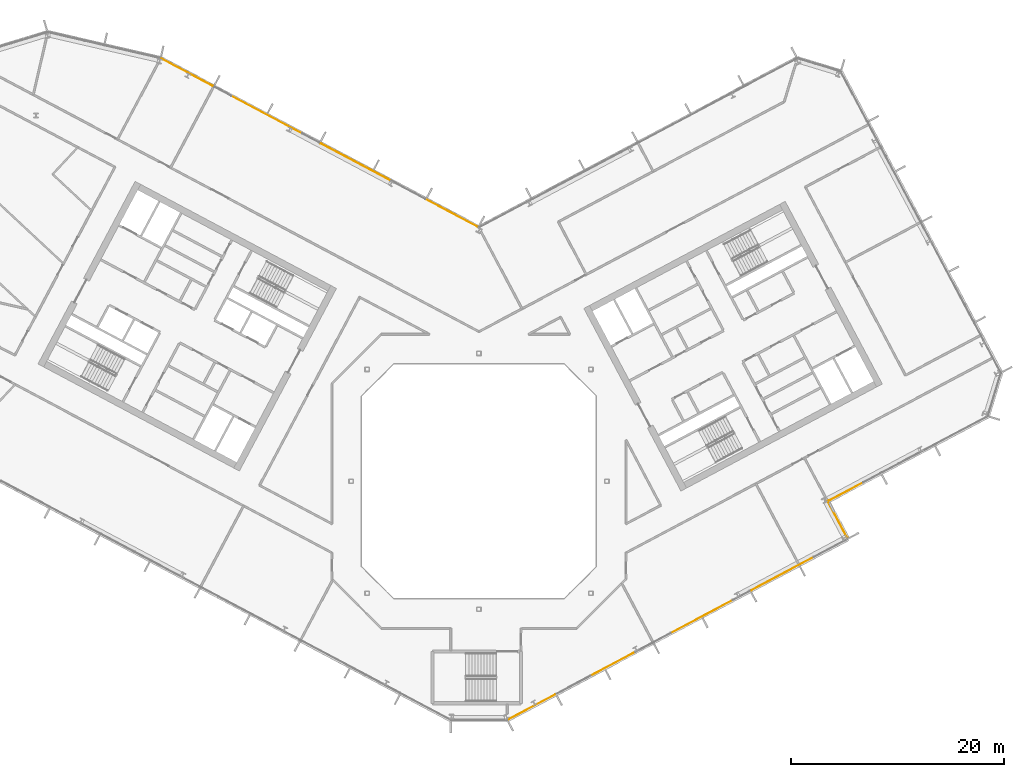
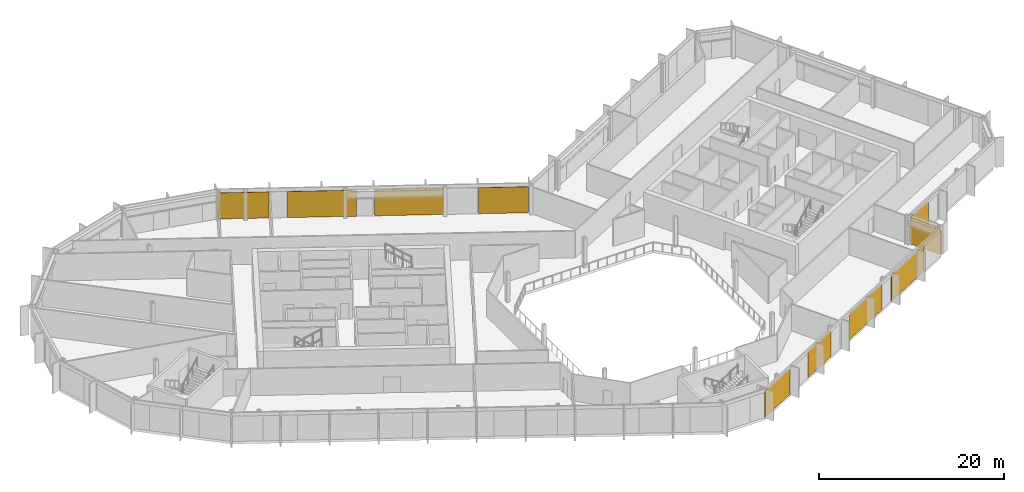
# One storey, part 23 of 26: 10 coverings, 4 elements without a shape of their own.
"""IFC4 building model written with IfcOpenShell, lengths in metres."""

from ifc_helpers import new_model, si_unit, direction, frame, origin, origin_2d, place, context, subcontext, project, spatial, rectangle, extrude, material, layer, layer_set, type_object, element, aggregate, save


model = new_model("IFC4")

# Units and contexts
model_context = context("Model", 3, precision=1e-05, world=origin(), true_north=direction((0.0, 1.0)))
body_context = subcontext(model_context, "Body", "Model", "MODEL_VIEW")
ifc_project = project(units=[si_unit("LENGTHUNIT", "METRE"), si_unit("AREAUNIT", "SQUARE_METRE"), si_unit("VOLUMEUNIT", "CUBIC_METRE"), si_unit("PLANEANGLEUNIT", "RADIAN"), si_unit("MASSUNIT", "GRAM", prefix="KILO")], contexts=[model_context])

# Site, building, storey
site_placement = place(None, origin())
site = spatial("IfcSite", under=ifc_project, at=site_placement, CompositionType="ELEMENT")
building_placement = place(site_placement, origin())
building = spatial("IfcBuilding", under=site, at=building_placement, Name="Cormorant Relay Tower", CompositionType="ELEMENT")
storey_placement = place(building_placement, frame((0.0, 0.0, 197.39990234375)))
storey = spatial("IfcBuildingStorey", under=building, at=storey_placement, Name="L42", CompositionType="ELEMENT", Elevation=197.39990234375)

# Curtain wall, coverings
ifc_material_1 = material(Name="Aluminium 6063-T6 anodised bronze", Category="aluminium")
ifc_layer_1 = layer(ifc_material_1, 0.199951171875)
ifc_layer_set_1 = layer_set([ifc_layer_1], Name="CW1 unitised bronze curtain wall with vertical fins")
curtain_wall_type = type_object("IfcCurtainWallType", Name="CW1 unitised bronze curtain wall with vertical fins", PredefinedType="NOTDEFINED", material=ifc_layer_set_1)
curtain_wall_1_placement = place(storey_placement, origin())
curtain_wall_1 = element("IfcCurtainWall", 1, at=curtain_wall_1_placement, inside=storey, type_object=curtain_wall_type, Name="CW1 curtain wall 2", PredefinedType="NOTDEFINED")
ifc_material_2 = material(Name="Pale bronze anodised aluminium insulated panel", Category="aluminium")
ifc_layer_2 = layer(ifc_material_2, 0.0400390625)
ifc_layer_set_2 = layer_set([ifc_layer_2], Name="CW1 pale bronze insulated panel 40")
covering_type = type_object("IfcCoveringType", Name="CW1 pale bronze insulated panel 40", PredefinedType="CLADDING", material=ifc_layer_set_2)
covering_1_placement = place(storey_placement, frame((4.939208984375, -21.180419921875, 0.0), z_axis=(0.0, 0.0, 1.0), x_axis=(0.882947592859, 0.469471562786, 0.0)))
covering_1 = element("IfcCovering", 2, at=covering_1_placement, type_object=covering_type, Name="CW1 panel S00", PredefinedType="CLADDING", context=body_context, shape_type="SweptSolid", body=[
    extrude(rectangle(XDim=5.0166015625, YDim=0.0400390625, at=origin_2d()), origin(), (0.0, 0.0, 1.0), 3.449951171875),
])
covering_2_placement = place(storey_placement, frame((12.576416015625, -17.11962890625, 0.0), z_axis=(0.0, 0.0, 1.0), x_axis=(0.882947592859, 0.469471562786, 0.0)))
covering_2 = element("IfcCovering", 3, at=covering_2_placement, type_object=covering_type, Name="CW1 panel S02", PredefinedType="CLADDING", context=body_context, shape_type="SweptSolid", body=[
    extrude(rectangle(XDim=4.783203125, YDim=0.0400390625, at=origin_2d()), origin(), (0.0, 0.0, 1.0), 3.449951171875),
])
covering_3_placement = place(storey_placement, frame((20.905517578125, -12.69091796875, 0.0), z_axis=(0.0, 0.0, 1.0), x_axis=(0.882947592859, 0.469471562786, 0.0)))
covering_3 = element("IfcCovering", 4, at=covering_3_placement, type_object=covering_type, Name="CW1 panel S05", PredefinedType="CLADDING", context=body_context, shape_type="SweptSolid", body=[
    extrude(rectangle(XDim=6.5830078125, YDim=0.0400390625, at=origin_2d()), origin(), (0.0, 0.0, 1.0), 3.449951171875),
])
covering_4_placement = place(storey_placement, frame((28.472900390625, -8.667236328125, 0.0), z_axis=(0.0, 0.0, 1.0), x_axis=(0.882947592859, 0.469471562786, 0.0)))
covering_4 = element("IfcCovering", 5, at=covering_4_placement, type_object=covering_type, Name="CW1 panel S07", PredefinedType="CLADDING", context=body_context, shape_type="SweptSolid", body=[
    extrude(rectangle(XDim=6.658203125, YDim=0.0400390625, at=origin_2d()), origin(), (0.0, 0.0, 1.0), 3.449951171875),
])
aggregate(curtain_wall_1, [covering_1, covering_2, covering_3, covering_4])

# Curtain wall, covering
curtain_wall_2_placement = place(storey_placement, origin())
curtain_wall_2 = element("IfcCurtainWall", 6, at=curtain_wall_2_placement, inside=storey, type_object=curtain_wall_type, Name="CW1 curtain wall 3", PredefinedType="NOTDEFINED")
covering_5_placement = place(storey_placement, frame((33.642578125, -3.58837890625, 0.0), z_axis=(0.0, 0.0, 1.0), x_axis=(-0.469471562786, 0.882947592859, 0.0)))
covering_5 = element("IfcCovering", 7, at=covering_5_placement, type_object=covering_type, Name="CW1 panel S00", PredefinedType="CLADDING", context=body_context, shape_type="SweptSolid", body=[
    extrude(rectangle(XDim=3.925048828125, YDim=0.0400390625, at=origin_2d()), origin(), (0.0, 0.0, 1.0), 3.449951171875),
])
aggregate(curtain_wall_2, [covering_5])

curtain_wall_3_placement = place(storey_placement, origin())
curtain_wall_3 = element("IfcCurtainWall", 8, at=curtain_wall_3_placement, inside=storey, type_object=curtain_wall_type, Name="CW1 curtain wall 4", PredefinedType="NOTDEFINED")
covering_6_placement = place(storey_placement, frame((34.453125, -0.957275390625, 0.0), z_axis=(0.0, 0.0, 1.0), x_axis=(0.882947592859, 0.469471562786, 0.0)))
covering_6 = element("IfcCovering", 9, at=covering_6_placement, type_object=covering_type, Name="CW1 panel S00", PredefinedType="CLADDING", context=body_context, shape_type="SweptSolid", body=[
    extrude(rectangle(XDim=3.6416015625, YDim=0.0400390625, at=origin_2d()), origin(), (0.0, 0.0, 1.0), 3.449951171875),
])
aggregate(curtain_wall_3, [covering_6])

# Curtain wall, coverings
curtain_wall_4_placement = place(storey_placement, origin())
curtain_wall_4 = element("IfcCurtainWall", 10, at=curtain_wall_4_placement, inside=storey, type_object=curtain_wall_type, Name="CW1 curtain wall 9", PredefinedType="NOTDEFINED")
covering_7_placement = place(storey_placement, frame((-2.51318359375, 25.142822265625, 0.0), z_axis=(0.0, 0.0, 1.0), x_axis=(-0.882947592859, 0.469471562786, 0.0)))
covering_7 = element("IfcCovering", 11, at=covering_7_placement, type_object=covering_type, Name="CW1 panel S00", PredefinedType="CLADDING", context=body_context, shape_type="SweptSolid", body=[
    extrude(rectangle(XDim=5.4140625, YDim=0.0400390625, at=origin_2d()), origin(), (0.0, 0.0, 1.0), 3.449951171875),
])
covering_8_placement = place(storey_placement, frame((-11.537841796875, 29.94140625, 0.0), z_axis=(0.0, 0.0, 1.0), x_axis=(-0.882947592859, 0.469471562786, 0.0)))
covering_8 = element("IfcCovering", 12, at=covering_8_placement, type_object=covering_type, Name="CW1 panel S02", PredefinedType="CLADDING", context=body_context, shape_type="SweptSolid", body=[
    extrude(rectangle(XDim=7.528076171875, YDim=0.0400390625, at=origin_2d()), origin(), (0.0, 0.0, 1.0), 3.449951171875),
])
covering_9_placement = place(storey_placement, frame((-19.906494140625, 34.39111328125, 0.0), z_axis=(0.0, 0.0, 1.0), x_axis=(-0.882947592859, 0.469471562786, 0.0)))
covering_9 = element("IfcCovering", 13, at=covering_9_placement, type_object=covering_type, Name="CW1 panel S04", PredefinedType="CLADDING", context=body_context, shape_type="SweptSolid", body=[
    extrude(rectangle(XDim=7.528076171875, YDim=0.0400390625, at=origin_2d()), origin(), (0.0, 0.0, 1.0), 3.449951171875),
])
covering_10_placement = place(storey_placement, frame((-27.407958984375, 38.379638671875, 0.0), z_axis=(0.0, 0.0, 1.0), x_axis=(-0.882947592859, 0.469471562786, 0.0)))
covering_10 = element("IfcCovering", 14, at=covering_10_placement, type_object=covering_type, Name="CW1 panel S06", PredefinedType="CLADDING", context=body_context, shape_type="SweptSolid", body=[
    extrude(rectangle(XDim=5.56396484375, YDim=0.0400390625, at=origin_2d()), origin(), (0.0, 0.0, 1.0), 3.449951171875),
])
aggregate(curtain_wall_4, [covering_7, covering_8, covering_9, covering_10])

save(model, "model.ifc")
